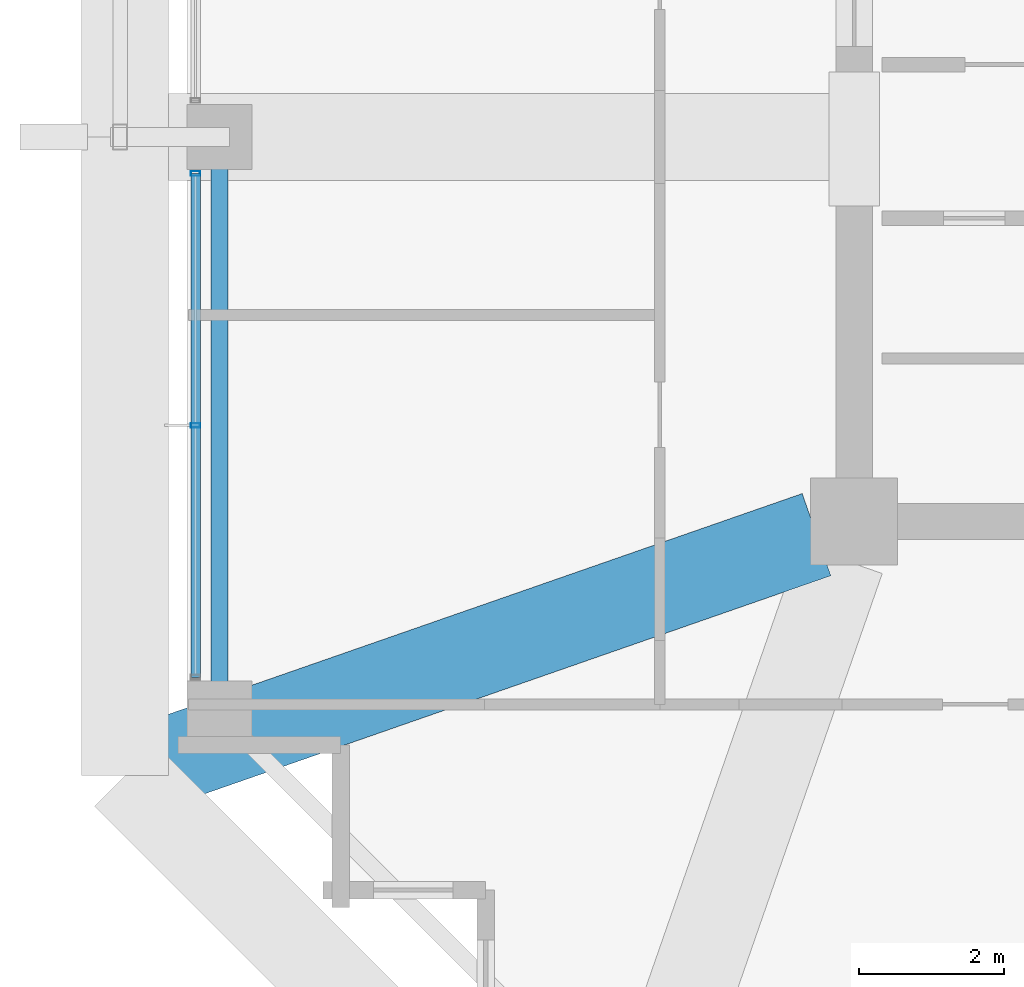
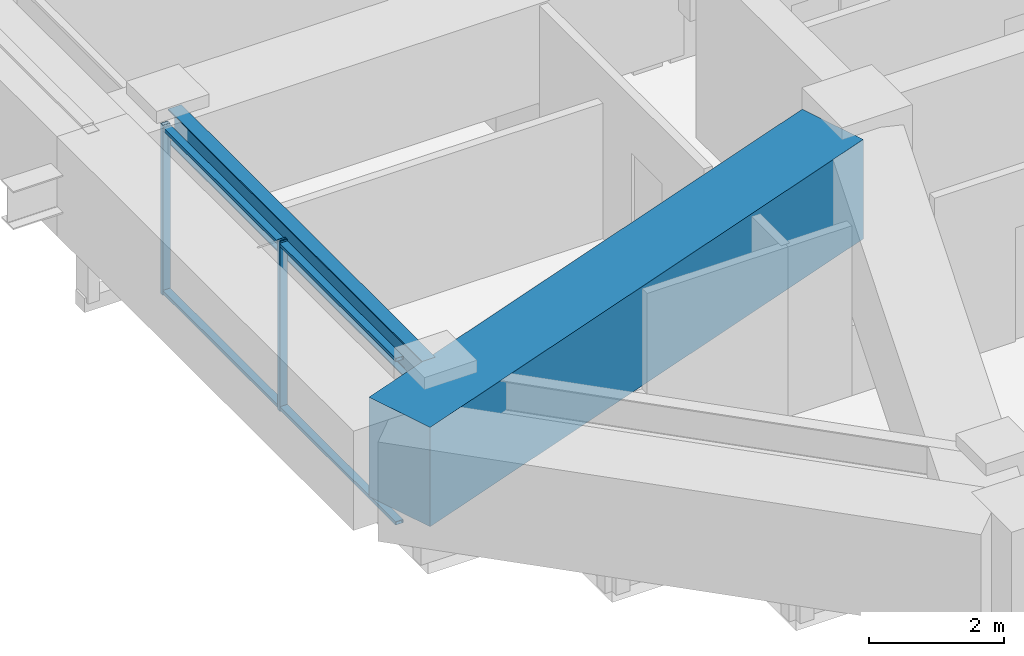
# One storey, part 4 of 40: 4 members, 2 beams, 1 element without a shape of its own.
"""IFC4 building model written with IfcOpenShell, lengths in metres."""

from ifc_helpers import new_model, si_unit, direction, frame, origin, origin_2d, place, context, subcontext, project, spatial, rectangle, hollow_rectangle, i_section, extrude, material, material_profile, profile_set, type_object, element, aggregate, save


model = new_model("IFC4")

# Units and contexts
model_context = context("Model", 3, precision=1e-05, world=origin(), true_north=direction((0.0, 1.0)))
body_context = subcontext(model_context, "Body", "Model", "MODEL_VIEW")
ifc_project = project(units=[si_unit("LENGTHUNIT", "METRE"), si_unit("AREAUNIT", "SQUARE_METRE"), si_unit("VOLUMEUNIT", "CUBIC_METRE"), si_unit("PLANEANGLEUNIT", "RADIAN"), si_unit("MASSUNIT", "GRAM", prefix="KILO")], contexts=[model_context])

# Site, building, storey
site_placement = place(None, origin())
site = spatial("IfcSite", under=ifc_project, at=site_placement, CompositionType="ELEMENT")
building_placement = place(site_placement, origin())
building = spatial("IfcBuilding", under=site, at=building_placement, Name="Kolvaren Belvedere", CompositionType="ELEMENT")
storey_placement = place(building_placement, frame((0.0, 0.0, 170.10009765625)))
storey = spatial("IfcBuildingStorey", under=building, at=storey_placement, Name="L49", CompositionType="ELEMENT", Elevation=170.10009765625)

# Beams
ifc_material_1 = material(Name="Structural steel ASTM A992 Grade 50", Category="steel")
ifc_material_profile_1 = material_profile(ifc_material_1, i_section(OverallWidth=0.22900390625, OverallDepth=0.612060546875, WebThickness=0.011962890625, FlangeThickness=0.01953125, FilletRadius=0.01806640625, at=origin_2d()), Name="W24X84")
ifc_profile_set_1 = profile_set([ifc_material_profile_1], Name="Structural steel ASTM A992 Grade 50")
beam_type_1 = type_object("IfcBeamType", Name="BM-SPAN-W24X84", PredefinedType="SPANDREL", material=ifc_profile_set_1)
beam_1_placement = place(storey_placement, frame((-18.64990234375, -4.802490234375, 2.77392578125), z_axis=(0.0, -1.0, 0.0), x_axis=(1.0, 0.0, 0.0)))
element("IfcBeam", 1, at=beam_1_placement, inside=storey, type_object=beam_type_1, Name="L49 Perimeter Spandrel W2-W1", PredefinedType="SPANDREL", context=body_context, shape_type="SweptSolid", body=[
    extrude(i_section(OverallWidth=0.22900390625, OverallDepth=0.612060546875, WebThickness=0.011962890625, FlangeThickness=0.01953125, FilletRadius=0.01806640625, at=origin_2d()), origin(), (0.0, 0.0, 1.0), 7.544921875),
])
ifc_material_2 = material(Name="Concrete C50/60", Category="concrete")
ifc_material_profile_2 = material_profile(ifc_material_2, rectangle(XDim=1.199951171875, YDim=1.800048828125, at=origin_2d()), Name="RC 1200X1800")
ifc_profile_set_2 = profile_set([ifc_material_profile_2], Name="Concrete C50/60")
beam_type_2 = type_object("IfcBeamType", Name="BM-TG-1800", PredefinedType="BEAM", material=ifc_profile_set_2)
beam_2_placement = place(storey_placement, frame((-10.41943359375, -10.080810546875, 2.179931640625), z_axis=(-0.944363863132, -0.328902560054, 0.0), x_axis=(0.328902560054, -0.944363863132, 0.0)))
element("IfcBeam", 2, at=beam_2_placement, inside=storey, type_object=beam_type_2, Name="L49 Corner Core-to-Perimeter Girder CC1-W1", PredefinedType="BEAM", context=body_context, shape_type="SweptSolid", body=[
    extrude(rectangle(XDim=1.199951171875, YDim=1.800048828125, at=origin_2d()), origin(), (0.0, 0.0, 1.0), 9.842041015625),
])

# Curtain wall, members
ifc_material_3 = material(Name="Anodised pale-metal aluminium AA 6063-T6", Category="aluminium")
curtain_wall_type = type_object("IfcCurtainWallType", Name="CW-Z3-WAIST", PredefinedType="NOTDEFINED", material=ifc_material_3)
curtain_wall_placement = place(storey_placement, origin())
curtain_wall = element("IfcCurtainWall", 3, at=curtain_wall_placement, inside=storey, type_object=curtain_wall_type, Name="L49 Unitised Curtain Wall FCW-L49-W-B1", PredefinedType="NOTDEFINED")
ifc_material_4 = material(Name="Anodised pale-metal aluminium AA 6063-T6", Category="aluminium")
ifc_material_profile_3 = material_profile(ifc_material_4, hollow_rectangle(XDim=0.06494140625, YDim=0.1298828125, WallThickness=0.00390625, at=origin_2d()), Name="ALU-MUL-130X65")
ifc_profile_set_3 = profile_set([ifc_material_profile_3], Name="Anodised pale-metal aluminium AA 6063-T6")
member_type_1 = type_object("IfcMemberType", Name="CW-MUL-130", PredefinedType="MULLION", material=ifc_profile_set_3)
member_1_placement = place(storey_placement, frame((-18.97998046875, -8.574951171875, 0.0), z_axis=(0.0, 0.0, 1.0), x_axis=(0.0, 1.0, 0.0)))
member_1 = element("IfcMember", 4, at=member_1_placement, type_object=member_type_1, Name="FCW-L49-W-B1 Unitised Mullion 2", PredefinedType="MULLION", context=body_context, shape_type="SweptSolid", body=[
    extrude(hollow_rectangle(XDim=0.06494140625, YDim=0.1298828125, WallThickness=0.00390625, at=origin_2d()), origin(), (0.0, 0.0, 1.0), 3.079833984375),
])
member_2_placement = place(storey_placement, frame((-18.97998046875, -5.1025390625, 0.0), z_axis=(0.0, 0.0, 1.0), x_axis=(0.0, 1.0, 0.0)))
member_2 = element("IfcMember", 5, at=member_2_placement, type_object=member_type_1, Name="FCW-L49-W-B1 Unitised Mullion 3", PredefinedType="MULLION", context=body_context, shape_type="SweptSolid", body=[
    extrude(hollow_rectangle(XDim=0.06494140625, YDim=0.1298828125, WallThickness=0.00390625, at=origin_2d()), origin(), (0.0, 0.0, 1.0), 3.079833984375),
])
ifc_material_5 = material(Name="Anodised pale-metal aluminium AA 6063-T6", Category="aluminium")
ifc_material_profile_4 = material_profile(ifc_material_5, hollow_rectangle(XDim=0.06005859375, YDim=0.1298828125, WallThickness=0.00390625, at=origin_2d()), Name="ALU-TRN-130X60")
ifc_profile_set_4 = profile_set([ifc_material_profile_4], Name="Anodised pale-metal aluminium AA 6063-T6")
member_type_2 = type_object("IfcMemberType", Name="CW-TRN-130", PredefinedType="USERDEFINED", material=ifc_profile_set_4)
member_3_placement = place(storey_placement, frame((-18.97998046875, -12.047607421875, 0.059814453125), z_axis=(0.0, 1.0, 0.0), x_axis=(0.0, 0.0, 1.0)))
member_3 = element("IfcMember", 6, at=member_3_placement, type_object=member_type_2, Name="FCW-L49-W-B1 Sill Transom", ObjectType="TRANSOM", PredefinedType="USERDEFINED", context=body_context, shape_type="SweptSolid", body=[
    extrude(hollow_rectangle(XDim=0.06005859375, YDim=0.1298828125, WallThickness=0.00390625, at=origin_2d()), origin(), (0.0, 0.0, 1.0), 6.945068359375),
])
member_4_placement = place(storey_placement, frame((-18.97998046875, -12.047607421875, 3.02001953125), z_axis=(0.0, 1.0, 0.0), x_axis=(0.0, 0.0, 1.0)))
member_4 = element("IfcMember", 7, at=member_4_placement, type_object=member_type_2, Name="FCW-L49-W-B1 Head Transom", ObjectType="TRANSOM", PredefinedType="USERDEFINED", context=body_context, shape_type="SweptSolid", body=[
    extrude(hollow_rectangle(XDim=0.06005859375, YDim=0.1298828125, WallThickness=0.00390625, at=origin_2d()), origin(), (0.0, 0.0, 1.0), 6.945068359375),
])
aggregate(curtain_wall, [member_1, member_2, member_3, member_4])

save(model, "model.ifc")
